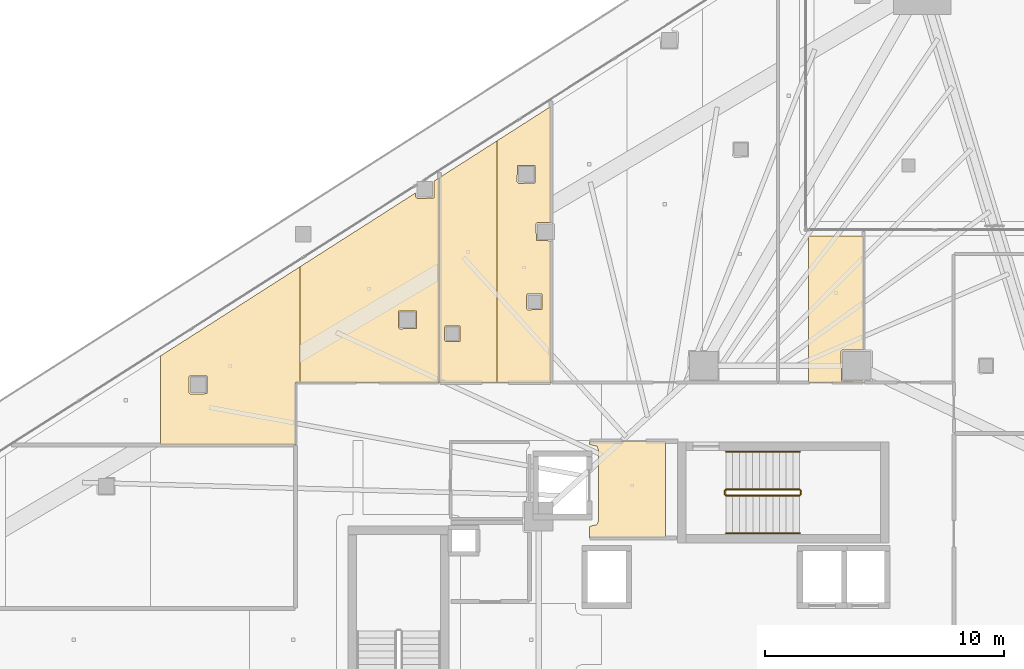
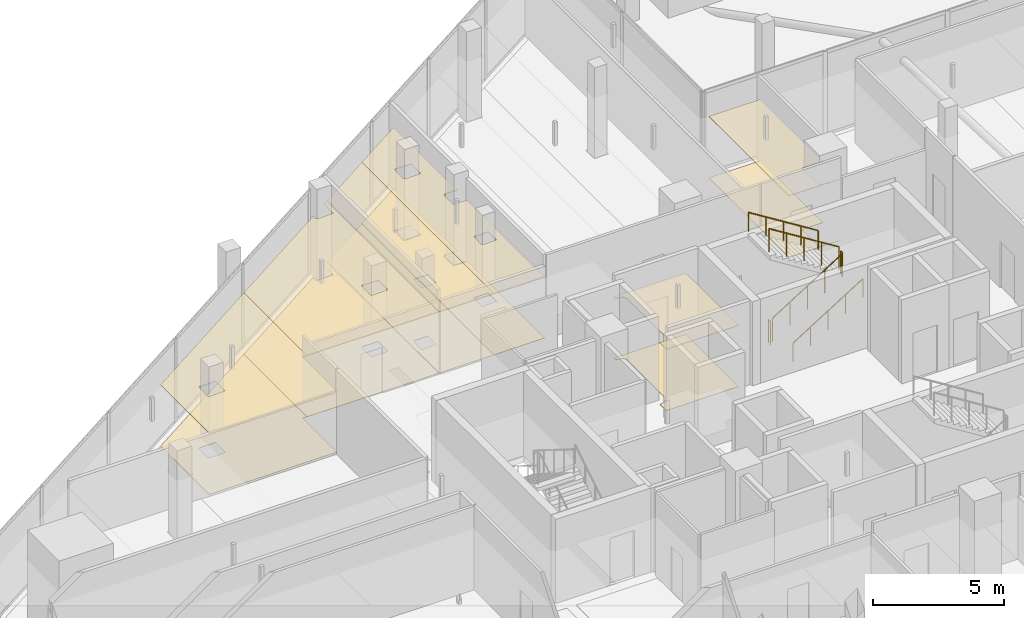
# One storey, part 46 of 47: 12 coverings, 6 railings.
"""IFC4 building model written with IfcOpenShell, lengths in metres."""

from ifc_helpers import new_model, si_unit, direction, frame, origin, origin_2d, place, context, subcontext, project, spatial, polyline, circle, outline, extrude, material, layer, layer_set, type_object, element, save


model = new_model("IFC4")

# Units and contexts
model_context = context("Model", 3, precision=1e-05, world=origin(), true_north=direction((0.0, 1.0)))
body_context = subcontext(model_context, "Body", "Model", "MODEL_VIEW")
ifc_project = project(units=[si_unit("LENGTHUNIT", "METRE"), si_unit("AREAUNIT", "SQUARE_METRE"), si_unit("VOLUMEUNIT", "CUBIC_METRE"), si_unit("PLANEANGLEUNIT", "RADIAN"), si_unit("MASSUNIT", "GRAM", prefix="KILO")], contexts=[model_context])

# Site, building, storey
site_placement = place(None, origin())
site = spatial("IfcSite", under=ifc_project, at=site_placement, CompositionType="ELEMENT")
building_placement = place(site_placement, origin())
building = spatial("IfcBuilding", under=site, at=building_placement, Name="Qorvath Tower", CompositionType="ELEMENT")
storey_placement = place(building_placement, frame((0.0, 0.0, 82.800048828125)))
storey = spatial("IfcBuildingStorey", under=building, at=storey_placement, Name="L18", CompositionType="ELEMENT", Elevation=82.800048828125)

# Coverings
ifc_material_1 = material(Name="Acoustic mineral fibre ceiling tile", Category="gypsum")
ifc_layer_1 = layer(ifc_material_1, 0.030029296875)
ifc_layer_set_1 = layer_set([ifc_layer_1], Name="COV-CEIL")
covering_type_1 = type_object("IfcCoveringType", Name="COV-CEIL", PredefinedType="CEILING", material=ifc_layer_set_1)
covering_1_placement = place(storey_placement, frame((0.0, 0.0, 2.849853515625)))
element("IfcCovering", 1, at=covering_1_placement, inside=storey, type_object=covering_type_1, Name="L18 Suspended Acoustic Ceiling 001", PredefinedType="CEILING", context=body_context, shape_type="SweptSolid", body=[
    extrude(outline(polyline([(-25.18994140625, 4.2548828125), (-25.18994140625, 8.294921875), (-28.375, 8.294921875), (-28.375, 8.159912109375), (-28.063232421875, 8.086669921875), (-27.989990234375, 7.909912109375), (-27.989990234375, 4.989990234375), (-28.063232421875, 4.813232421875), (-28.375, 4.739990234375), (-28.375, 4.2548828125), (-25.18994140625, 4.2548828125)])), origin(), (0.0, 0.0, 1.0), 0.030029296875),
])
covering_2_placement = place(storey_placement, frame((0.0, 0.0, 2.849853515625)))
element("IfcCovering", 2, at=covering_2_placement, inside=storey, type_object=covering_type_1, Name="L18 Suspended Acoustic Ceiling 010", PredefinedType="CEILING", context=body_context, shape_type="SweptSolid", body=[
    extrude(outline(polyline([(-32.22998046875, 10.762939453125), (-32.22998046875, 20.861328125), (-34.64501953125, 19.31787109375), (-34.64501953125, 10.762939453125), (-32.22998046875, 10.762939453125)]), holes=[polyline([(-34.439208984375, 12.517578125), (-34.421630859375, 13.10986328125), (-33.786865234375, 13.10986328125), (-33.786865234375, 12.47509765625), (-34.379150390625, 12.45751953125), (-34.439208984375, 12.517578125)])]), origin(), (0.0, 0.0, 1.0), 0.030029296875),
])
covering_3_placement = place(storey_placement, frame((0.0, 0.0, 2.849853515625)))
element("IfcCovering", 3, at=covering_3_placement, inside=storey, type_object=covering_type_1, Name="L18 Suspended Acoustic Ceiling 011", PredefinedType="CEILING", context=body_context, shape_type="SweptSolid", body=[
    extrude(outline(polyline([(-29.98388671875, 17.444580078125), (-29.98388671875, 22.296875), (-32.22998046875, 20.861328125), (-32.22998046875, 10.762939453125), (-29.98388671875, 10.762939453125), (-29.98388671875, 16.674560546875), (-30.59228515625, 16.692138671875), (-30.60986328125, 17.384521484375), (-30.5498046875, 17.444580078125), (-29.98388671875, 17.444580078125)]), holes=[polyline([(-31.01220703125, 13.849365234375), (-30.99462890625, 14.441650390625), (-30.35986328125, 14.441650390625), (-30.35986328125, 13.806884765625), (-30.9521484375, 13.789306640625), (-31.01220703125, 13.849365234375)]), polyline([(-31.401123046875, 19.135498046875), (-31.383544921875, 19.827880859375), (-30.648681640625, 19.827880859375), (-30.648681640625, 19.093017578125), (-31.341064453125, 19.075439453125), (-31.401123046875, 19.135498046875)])]), origin(), (0.0, 0.0, 1.0), 0.030029296875),
])
covering_4_placement = place(storey_placement, frame((0.0, 0.0, 2.849853515625)))
element("IfcCovering", 4, at=covering_4_placement, inside=storey, type_object=covering_type_1, Name="L18 Suspended Acoustic Ceiling 016", PredefinedType="CEILING", context=body_context, shape_type="SweptSolid", body=[
    extrude(outline(polyline([(-19.20947265625, 16.882080078125), (-19.20947265625, 10.762939453125), (-16.923583984375, 10.762939453125), (-17.842529296875, 10.8076171875), (-17.860107421875, 12.050048828125), (-17.800048828125, 12.110107421875), (-16.923583984375, 12.110107421875), (-16.923583984375, 16.881103515625), (-19.20947265625, 16.882080078125)])), origin(), (0.0, 0.0, 1.0), 0.030029296875),
])
covering_5_placement = place(storey_placement, frame((0.0, 0.0, 2.849853515625)))
element("IfcCovering", 5, at=covering_5_placement, inside=storey, type_object=covering_type_1, Name="L18 Suspended Acoustic Ceiling 045", PredefinedType="CEILING", context=body_context, shape_type="SweptSolid", body=[
    extrude(outline(polyline([(-40.48291015625, 10.761474609375), (-40.48291015625, 15.586669921875), (-46.302978515625, 11.866943359375), (-46.302978515625, 8.147216796875), (-40.6630859375, 8.147216796875), (-40.66162109375, 10.761474609375), (-40.48291015625, 10.761474609375)]), holes=[polyline([(-45.121337890625, 10.327392578125), (-45.103759765625, 11.019775390625), (-44.368896484375, 11.019775390625), (-44.368896484375, 10.284912109375), (-45.061279296875, 10.267333984375), (-45.121337890625, 10.327392578125)])]), origin(), (0.0, 0.0, 1.0), 0.030029296875),
])
covering_6_placement = place(storey_placement, frame((0.0, 0.0, 2.849853515625)))
element("IfcCovering", 6, at=covering_6_placement, inside=storey, type_object=covering_type_1, Name="L18 Suspended Acoustic Ceiling 046", PredefinedType="CEILING", context=body_context, shape_type="SweptSolid", body=[
    extrude(outline(polyline([(-34.6630859375, 10.762939453125), (-34.6630859375, 19.306396484375), (-34.873779296875, 19.171630859375), (-34.88427734375, 18.4619140625), (-35.57666015625, 18.4443359375), (-35.63671875, 18.50439453125), (-35.63671875, 18.68408203125), (-40.48291015625, 15.586669921875), (-40.48291015625, 10.761474609375), (-34.6630859375, 10.762939453125)]), holes=[polyline([(-36.36572265625, 13.055908203125), (-36.34814453125, 13.748291015625), (-35.61328125, 13.748291015625), (-35.61328125, 13.013427734375), (-36.3056640625, 12.995849609375), (-36.36572265625, 13.055908203125)])]), origin(), (0.0, 0.0, 1.0), 0.030029296875),
])
ifc_material_2 = material(Name="Low-VOC modular carpet tile", Category="textile")
ifc_layer_2 = layer(ifc_material_2, 0.014892578125)
ifc_layer_set_2 = layer_set([ifc_layer_2], Name="COV-FLOOR-CPT")
covering_type_2 = type_object("IfcCoveringType", Name="COV-FLOOR-CPT", PredefinedType="FLOORING", material=ifc_layer_set_2)
covering_7_placement = place(storey_placement, origin())
element("IfcCovering", 7, at=covering_7_placement, inside=storey, type_object=covering_type_2, Name="L18 Floor Finish 010", PredefinedType="FLOORING", context=body_context, shape_type="SweptSolid", body=[
    extrude(outline(polyline([(-32.22998046875, 10.762939453125), (-32.22998046875, 20.861328125), (-34.64501953125, 19.31787109375), (-34.64501953125, 10.762939453125), (-32.22998046875, 10.762939453125)]), holes=[polyline([(-34.439208984375, 12.517578125), (-34.421630859375, 13.10986328125), (-33.786865234375, 13.10986328125), (-33.786865234375, 12.47509765625), (-34.379150390625, 12.45751953125), (-34.439208984375, 12.517578125)])]), origin(), (0.0, 0.0, 1.0), 0.014892578125),
])
covering_8_placement = place(storey_placement, origin())
element("IfcCovering", 8, at=covering_8_placement, inside=storey, type_object=covering_type_2, Name="L18 Floor Finish 011", PredefinedType="FLOORING", context=body_context, shape_type="SweptSolid", body=[
    extrude(outline(polyline([(-29.98388671875, 17.444580078125), (-29.98388671875, 22.296875), (-32.22998046875, 20.861328125), (-32.22998046875, 10.762939453125), (-29.98388671875, 10.762939453125), (-29.98388671875, 16.674560546875), (-30.59228515625, 16.692138671875), (-30.60986328125, 17.384521484375), (-30.5498046875, 17.444580078125), (-29.98388671875, 17.444580078125)]), holes=[polyline([(-31.01220703125, 13.849365234375), (-30.99462890625, 14.441650390625), (-30.35986328125, 14.441650390625), (-30.35986328125, 13.806884765625), (-30.9521484375, 13.789306640625), (-31.01220703125, 13.849365234375)]), polyline([(-31.401123046875, 19.135498046875), (-31.383544921875, 19.827880859375), (-30.648681640625, 19.827880859375), (-30.648681640625, 19.093017578125), (-31.341064453125, 19.075439453125), (-31.401123046875, 19.135498046875)])]), origin(), (0.0, 0.0, 1.0), 0.014892578125),
])
covering_9_placement = place(storey_placement, origin())
element("IfcCovering", 9, at=covering_9_placement, inside=storey, type_object=covering_type_2, Name="L18 Floor Finish 016", PredefinedType="FLOORING", context=body_context, shape_type="SweptSolid", body=[
    extrude(outline(polyline([(-19.20947265625, 16.882080078125), (-19.20947265625, 10.762939453125), (-16.923583984375, 10.762939453125), (-17.842529296875, 10.8076171875), (-17.860107421875, 12.050048828125), (-17.800048828125, 12.110107421875), (-16.923583984375, 12.110107421875), (-16.923583984375, 16.881103515625), (-19.20947265625, 16.882080078125)])), origin(), (0.0, 0.0, 1.0), 0.014892578125),
])
covering_10_placement = place(storey_placement, origin())
element("IfcCovering", 10, at=covering_10_placement, inside=storey, type_object=covering_type_2, Name="L18 Floor Finish 045", PredefinedType="FLOORING", context=body_context, shape_type="SweptSolid", body=[
    extrude(outline(polyline([(-40.48291015625, 10.761474609375), (-40.48291015625, 15.586669921875), (-46.302978515625, 11.866943359375), (-46.302978515625, 8.147216796875), (-40.6630859375, 8.147216796875), (-40.66162109375, 10.761474609375), (-40.48291015625, 10.761474609375)]), holes=[polyline([(-45.121337890625, 10.327392578125), (-45.103759765625, 11.019775390625), (-44.368896484375, 11.019775390625), (-44.368896484375, 10.284912109375), (-45.061279296875, 10.267333984375), (-45.121337890625, 10.327392578125)])]), origin(), (0.0, 0.0, 1.0), 0.014892578125),
])
covering_11_placement = place(storey_placement, origin())
element("IfcCovering", 11, at=covering_11_placement, inside=storey, type_object=covering_type_2, Name="L18 Floor Finish 046", PredefinedType="FLOORING", context=body_context, shape_type="SweptSolid", body=[
    extrude(outline(polyline([(-34.6630859375, 10.762939453125), (-34.6630859375, 19.306396484375), (-34.873779296875, 19.171630859375), (-34.88427734375, 18.4619140625), (-35.57666015625, 18.4443359375), (-35.63671875, 18.50439453125), (-35.63671875, 18.68408203125), (-40.48291015625, 15.586669921875), (-40.48291015625, 10.761474609375), (-34.6630859375, 10.762939453125)]), holes=[polyline([(-36.36572265625, 13.055908203125), (-36.34814453125, 13.748291015625), (-35.61328125, 13.748291015625), (-35.61328125, 13.013427734375), (-36.3056640625, 12.995849609375), (-36.36572265625, 13.055908203125)])]), origin(), (0.0, 0.0, 1.0), 0.014892578125),
])
ifc_material_3 = material(Name="Polished epoxy terrazzo flooring", Category="concrete")
ifc_layer_3 = layer(ifc_material_3, 0.02001953125)
ifc_layer_set_3 = layer_set([ifc_layer_3], Name="COV-FLOOR-TRZ")
covering_type_3 = type_object("IfcCoveringType", Name="COV-FLOOR-TRZ", PredefinedType="FLOORING", material=ifc_layer_set_3)
covering_12_placement = place(storey_placement, origin())
element("IfcCovering", 12, at=covering_12_placement, inside=storey, type_object=covering_type_3, Name="L18 Floor Finish 001", PredefinedType="FLOORING", context=body_context, shape_type="SweptSolid", body=[
    extrude(outline(polyline([(-25.18994140625, 4.2548828125), (-25.18994140625, 8.294921875), (-28.375, 8.294921875), (-28.375, 8.159912109375), (-28.063232421875, 8.086669921875), (-27.989990234375, 7.909912109375), (-27.989990234375, 4.989990234375), (-28.063232421875, 4.813232421875), (-28.375, 4.739990234375), (-28.375, 4.2548828125), (-25.18994140625, 4.2548828125)])), origin(), (0.0, 0.0, 1.0), 0.014892578125),
])

# Railings
ifc_material_4 = material(Name="Painted galvanised steel", Category="steel")
railing_type_1 = type_object("IfcRailingType", Name="RL-STR-GRD", PredefinedType="GUARDRAIL", material=ifc_material_4)
railing_1_placement = place(storey_placement, frame((-22.669921875, 6.030029296875, 0.175048828125)))
element("IfcRailing", 13, at=railing_1_placement, inside=storey, type_object=railing_type_1, Name="L18 TS1 stair guard 1", PredefinedType="GUARDRAIL", context=body_context, shape_type="SweptSolid", body=[
    extrude(circle(Radius=0.02392578125, at=origin_2d()), frame((0.0, 0.0, 1.076171875), z_axis=(0.848009633417, 0.0, 0.529980812513), x_axis=(0.0, 1.0, 0.0)), (0.0, 0.0, 1.0), 3.6318359375),
    extrude(circle(Radius=0.02099609375, at=origin_2d()), origin(), (0.0, 0.0, 1.0), 1.052001953125),
    extrude(circle(Radius=0.02099609375, at=origin_2d()), frame((0.77001953125, 0.0, 0.481201171875)), (0.0, 0.0, 1.0), 1.052001953125),
    extrude(circle(Radius=0.02099609375, at=origin_2d()), frame((1.5400390625, 0.0, 0.96240234375)), (0.0, 0.0, 1.0), 1.052001953125),
    extrude(circle(Radius=0.02099609375, at=origin_2d()), frame((2.309814453125, 0.0, 1.443603515625)), (0.0, 0.0, 1.0), 1.052001953125),
    extrude(circle(Radius=0.02099609375, at=origin_2d()), frame((3.079833984375, 0.0, 1.9248046875)), (0.0, 0.0, 1.0), 1.052001953125),
])
railing_2_placement = place(storey_placement, frame((-19.5400390625, 6.080078125, 2.099853515625)))
element("IfcRailing", 14, at=railing_2_placement, inside=storey, type_object=railing_type_1, Name="L18 TS1 stair guard 2", PredefinedType="GUARDRAIL", context=body_context, shape_type="SweptSolid", body=[
    extrude(circle(Radius=0.02392578125, at=origin_2d()), frame((0.0, 0.0, 1.076171875), z_axis=(0.0, 1.0, 0.0), x_axis=(-1.0, 0.0, 0.0)), (0.0, 0.0, 1.0), 0.14990234375),
    extrude(circle(Radius=0.02099609375, at=origin_2d()), origin(), (0.0, 0.0, 1.0), 1.052001953125),
    extrude(circle(Radius=0.02099609375, at=origin_2d()), frame((0.0, 0.14990234375, 0.0)), (0.0, 0.0, 1.0), 1.052001953125),
])
railing_3_placement = place(storey_placement, frame((-19.590087890625, 6.280029296875, 2.27490234375)))
element("IfcRailing", 15, at=railing_3_placement, inside=storey, type_object=railing_type_1, Name="L18 TS1 stair guard 3", PredefinedType="GUARDRAIL", context=body_context, shape_type="SweptSolid", body=[
    extrude(circle(Radius=0.02392578125, at=origin_2d()), frame((0.0, 0.0, 1.076171875), z_axis=(-0.847979421464, 0.0, 0.530029150871), x_axis=(0.0, -1.0, 0.0)), (0.0, 0.0, 1.0), 3.632080078125),
    extrude(circle(Radius=0.02099609375, at=origin_2d()), origin(), (0.0, 0.0, 1.0), 1.052001953125),
    extrude(circle(Radius=0.02099609375, at=origin_2d()), frame((-0.77001953125, 0.0, 0.481201171875)), (0.0, 0.0, 1.0), 1.052001953125),
    extrude(circle(Radius=0.02099609375, at=origin_2d()), frame((-1.5400390625, 0.0, 0.96240234375)), (0.0, 0.0, 1.0), 1.052001953125),
    extrude(circle(Radius=0.02099609375, at=origin_2d()), frame((-2.309814453125, 0.0, 1.44384765625)), (0.0, 0.0, 1.0), 1.052001953125),
    extrude(circle(Radius=0.02099609375, at=origin_2d()), frame((-3.079833984375, 0.0, 1.925048828125)), (0.0, 0.0, 1.0), 1.052001953125),
])
railing_4_placement = place(storey_placement, frame((-22.719970703125, 6.080078125, 0.0)))
element("IfcRailing", 16, at=railing_4_placement, inside=storey, type_object=railing_type_1, Name="L18 TS1 stair guard 4", PredefinedType="GUARDRAIL", context=body_context, shape_type="SweptSolid", body=[
    extrude(circle(Radius=0.02392578125, at=origin_2d()), frame((0.0, 0.0, 1.076171875), z_axis=(0.0, 1.0, 0.0), x_axis=(-1.0, 0.0, 0.0)), (0.0, 0.0, 1.0), 0.14990234375),
    extrude(circle(Radius=0.02099609375, at=origin_2d()), origin(), (0.0, 0.0, 1.0), 1.052001953125),
    extrude(circle(Radius=0.02099609375, at=origin_2d()), frame((0.0, 0.14990234375, 0.0)), (0.0, 0.0, 1.0), 1.052001953125),
])
ifc_material_5 = material(Name="Brushed stainless steel AISI 304", Category="steel")
railing_type_2 = type_object("IfcRailingType", Name="RL-STR-HND", PredefinedType="HANDRAIL", material=ifc_material_5)
railing_5_placement = place(storey_placement, frame((-22.669921875, 4.449951171875, 0.175048828125)))
element("IfcRailing", 17, at=railing_5_placement, inside=storey, type_object=railing_type_2, Name="L18 TS1 stair handrail 1", PredefinedType="HANDRAIL", context=body_context, shape_type="SweptSolid", body=[
    extrude(circle(Radius=0.02392578125, at=origin_2d()), frame((0.0, 0.0, 0.8759765625), z_axis=(0.848009633417, 0.0, 0.529980812513), x_axis=(0.0, 1.0, 0.0)), (0.0, 0.0, 1.0), 3.6318359375),
    extrude(circle(Radius=0.02099609375, at=origin_2d()), origin(), (0.0, 0.0, 1.0), 0.851806640625),
    extrude(circle(Radius=0.02099609375, at=origin_2d()), frame((0.77001953125, 0.0, 0.481201171875)), (0.0, 0.0, 1.0), 0.851806640625),
    extrude(circle(Radius=0.02099609375, at=origin_2d()), frame((1.5400390625, 0.0, 0.96240234375)), (0.0, 0.0, 1.0), 0.851806640625),
    extrude(circle(Radius=0.02099609375, at=origin_2d()), frame((2.309814453125, 0.0, 1.443603515625)), (0.0, 0.0, 1.0), 0.851806640625),
    extrude(circle(Radius=0.02099609375, at=origin_2d()), frame((3.079833984375, 0.0, 1.9248046875)), (0.0, 0.0, 1.0), 0.851806640625),
])
railing_6_placement = place(storey_placement, frame((-19.590087890625, 7.860107421875, 2.27490234375)))
element("IfcRailing", 18, at=railing_6_placement, inside=storey, type_object=railing_type_2, Name="L18 TS1 stair handrail 2", PredefinedType="HANDRAIL", context=body_context, shape_type="SweptSolid", body=[
    extrude(circle(Radius=0.02392578125, at=origin_2d()), frame((0.0, 0.0, 0.8759765625), z_axis=(-0.847979421464, 0.0, 0.530029150871), x_axis=(0.0, -1.0, 0.0)), (0.0, 0.0, 1.0), 3.632080078125),
    extrude(circle(Radius=0.02099609375, at=origin_2d()), origin(), (0.0, 0.0, 1.0), 0.851806640625),
    extrude(circle(Radius=0.02099609375, at=origin_2d()), frame((-0.77001953125, 0.0, 0.481201171875)), (0.0, 0.0, 1.0), 0.851806640625),
    extrude(circle(Radius=0.02099609375, at=origin_2d()), frame((-1.5400390625, 0.0, 0.96240234375)), (0.0, 0.0, 1.0), 0.851806640625),
    extrude(circle(Radius=0.02099609375, at=origin_2d()), frame((-2.309814453125, 0.0, 1.44384765625)), (0.0, 0.0, 1.0), 0.851806640625),
    extrude(circle(Radius=0.02099609375, at=origin_2d()), frame((-3.079833984375, 0.0, 1.925048828125)), (0.0, 0.0, 1.0), 0.851806640625),
])

save(model, "model.ifc")
